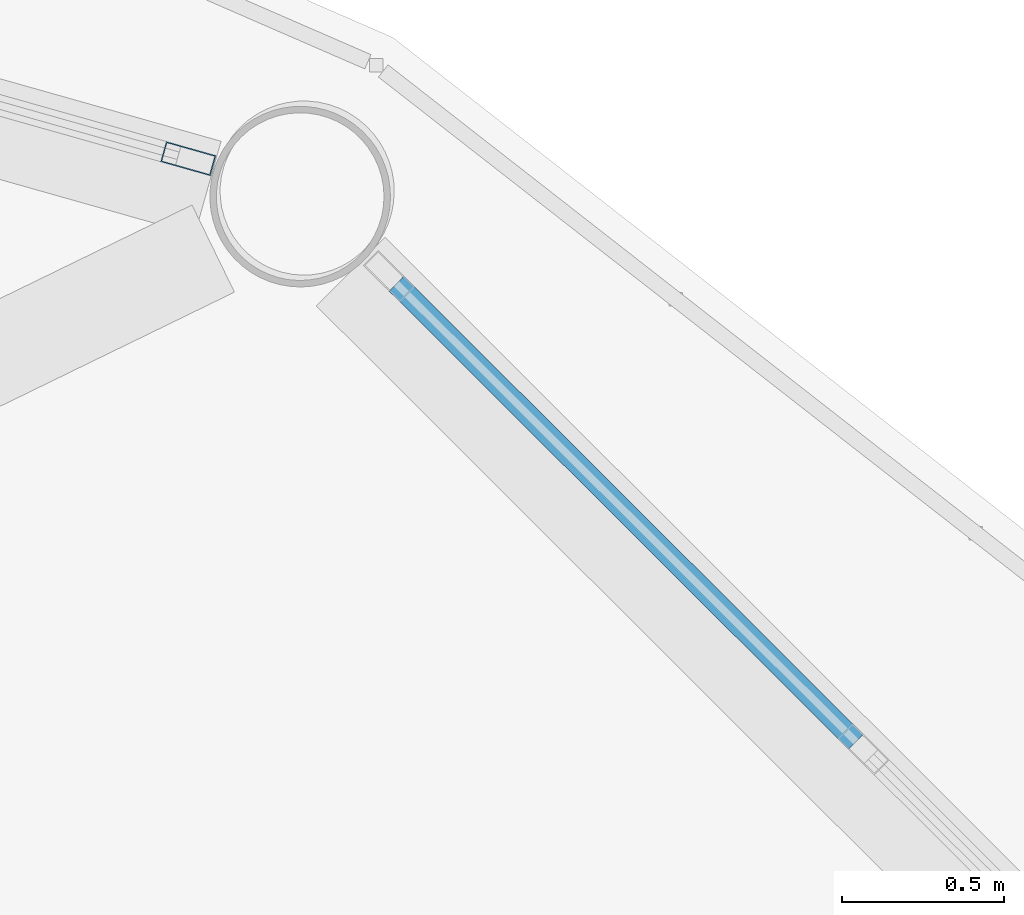
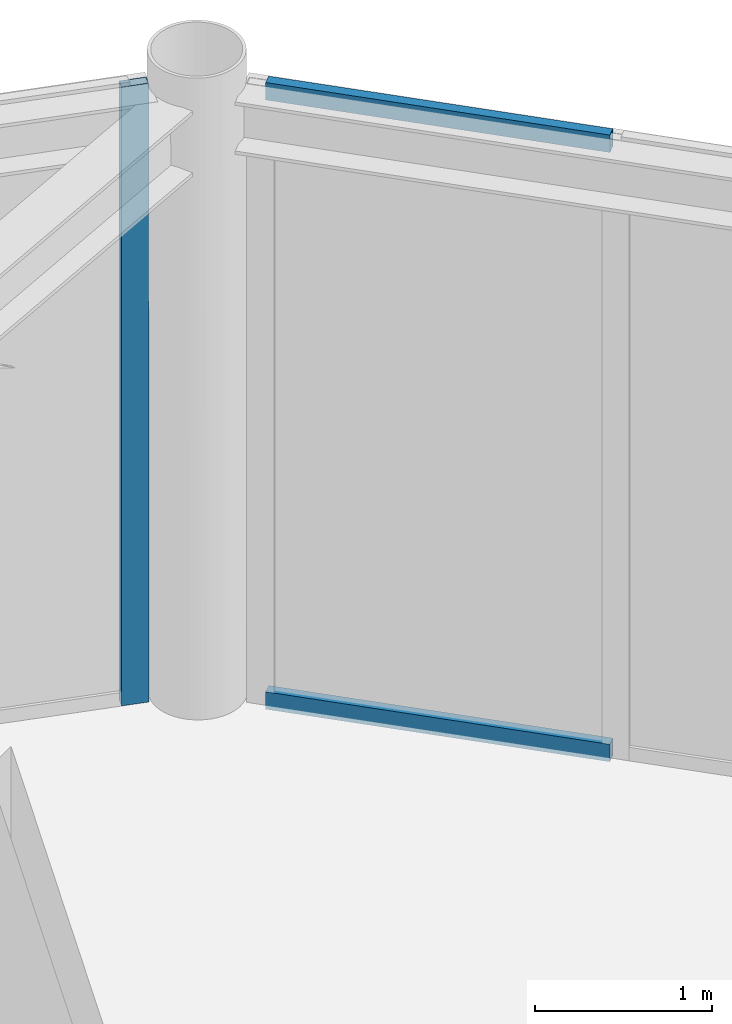
# One storey, part 19 of 26: 3 members, 2 elements without a shape of their own.
"""IFC4 building model written with IfcOpenShell, lengths in metres."""

from ifc_helpers import new_model, si_unit, direction, frame, origin, origin_2d, place, context, subcontext, project, spatial, hollow_rectangle, extrude, material, layer, layer_set, material_profile, profile_set, type_object, element, aggregate, save


model = new_model("IFC4")

# Units and contexts
model_context = context("Model", 3, precision=1e-05, world=origin(), true_north=direction((0.0, 1.0)))
body_context = subcontext(model_context, "Body", "Model", "MODEL_VIEW")
ifc_project = project(units=[si_unit("LENGTHUNIT", "METRE"), si_unit("AREAUNIT", "SQUARE_METRE"), si_unit("VOLUMEUNIT", "CUBIC_METRE"), si_unit("PLANEANGLEUNIT", "RADIAN"), si_unit("MASSUNIT", "GRAM", prefix="KILO")], contexts=[model_context])

# Site, building, storey
site_placement = place(None, origin())
site = spatial("IfcSite", under=ifc_project, at=site_placement, CompositionType="ELEMENT")
building_placement = place(site_placement, origin())
building = spatial("IfcBuilding", under=site, at=building_placement, Name="Varnakorn Sky Granary", CompositionType="ELEMENT")
storey_placement = place(building_placement, frame((0.0, 0.0, 289.5)))
storey = spatial("IfcBuildingStorey", under=building, at=storey_placement, Name="L74", CompositionType="ELEMENT", Elevation=289.5)

# Curtain wall, member
ifc_material = material(Name="Anodised Bronze Aluminium Alloy 6063-T6", Category="aluminium")
ifc_layer = layer(ifc_material, 0.159912109375, Name="Anodised Bronze Aluminium Alloy 6063-T6")
ifc_layer_set = layer_set([ifc_layer], Name="Anodised Bronze Aluminium Alloy 6063-T6")
curtain_wall_type = type_object("IfcCurtainWallType", Name="CW-OFF-1", PredefinedType="USERDEFINED", material=ifc_layer_set)
curtain_wall_1_placement = place(storey_placement, origin())
curtain_wall_1 = element("IfcCurtainWall", 1, at=curtain_wall_1_placement, inside=storey, type_object=curtain_wall_type, Name="Unitised Curtain Wall CW6 CW-L74-B03", ObjectType="CURTAIN WALL", PredefinedType="USERDEFINED")
ifc_material_profile_1 = material_profile(ifc_material, hollow_rectangle(XDim=0.06494140625, YDim=0.159912109375, WallThickness=0.00341796875, at=origin_2d()), Name="ALU MULL 65x160")
ifc_profile_set_1 = profile_set([ifc_material_profile_1], Name="Anodised Bronze Aluminium Alloy 6063-T6")
member_type_1 = type_object("IfcMemberType", Name="CW-OFF-1-MULL", PredefinedType="MULLION", material=ifc_profile_set_1)
member_1_placement = place(storey_placement, frame((13.299560546875, 15.312744140625, 0.0), z_axis=(0.0, 0.0, 1.0), x_axis=(0.271878363446, 0.962331624488, 0.0)))
member_1 = element("IfcMember", 2, at=member_1_placement, type_object=member_type_1, Name="CW6 mullion 5", PredefinedType="MULLION", context=body_context, shape_type="SweptSolid", body=[
    extrude(hollow_rectangle(XDim=0.06494140625, YDim=0.159912109375, WallThickness=0.00341796875, at=origin_2d()), origin(), (0.0, 0.0, 1.0), 4.260009765625),
])
aggregate(curtain_wall_1, [member_1])

# Curtain wall, members
curtain_wall_2_placement = place(storey_placement, origin())
curtain_wall_2 = element("IfcCurtainWall", 3, at=curtain_wall_2_placement, inside=storey, type_object=curtain_wall_type, Name="Unitised Curtain Wall CW6 CW-L74-B02", ObjectType="CURTAIN WALL", PredefinedType="USERDEFINED")
ifc_material_profile_2 = material_profile(ifc_material, hollow_rectangle(XDim=0.06494140625, YDim=0.1201171875, WallThickness=0.00341796875, at=origin_2d()), Name="ALU TRAN 65x120")
ifc_profile_set_2 = profile_set([ifc_material_profile_2], Name="Anodised Bronze Aluminium Alloy 6063-T6")
member_type_2 = type_object("IfcMemberType", Name="CW-OFF-1-TRAN", PredefinedType="USERDEFINED", material=ifc_profile_set_2)
member_2_placement = place(storey_placement, frame((13.94384765625, 14.926025390625, 0.032470703125), z_axis=(0.708139007887, -0.706073045448, 0.0), x_axis=(0.706073045448, 0.708139007887, 0.0)))
member_2 = element("IfcMember", 4, at=member_2_placement, type_object=member_type_2, Name="CW6 transom 1.1", ObjectType="TRANSOM", PredefinedType="USERDEFINED", context=body_context, shape_type="SweptSolid", body=[
    extrude(hollow_rectangle(XDim=0.06494140625, YDim=0.1201171875, WallThickness=0.00341796875, at=origin_2d()), origin(), (0.0, 0.0, 1.0), 2.009033203125),
])
member_3_placement = place(storey_placement, frame((13.94384765625, 14.926025390625, 4.2275390625), z_axis=(0.708139007887, -0.706073045448, 0.0), x_axis=(0.706073045448, 0.708139007887, 0.0)))
member_3 = element("IfcMember", 5, at=member_3_placement, type_object=member_type_2, Name="CW6 transom 1.2", ObjectType="TRANSOM", PredefinedType="USERDEFINED", context=body_context, shape_type="SweptSolid", body=[
    extrude(hollow_rectangle(XDim=0.06494140625, YDim=0.1201171875, WallThickness=0.00341796875, at=origin_2d()), origin(), (0.0, 0.0, 1.0), 2.009033203125),
])
aggregate(curtain_wall_2, [member_2, member_3])

save(model, "model.ifc")
